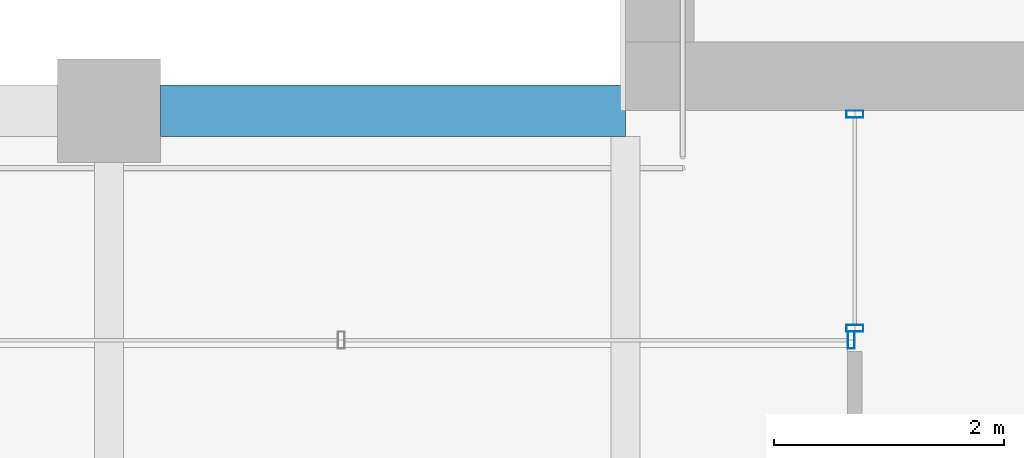
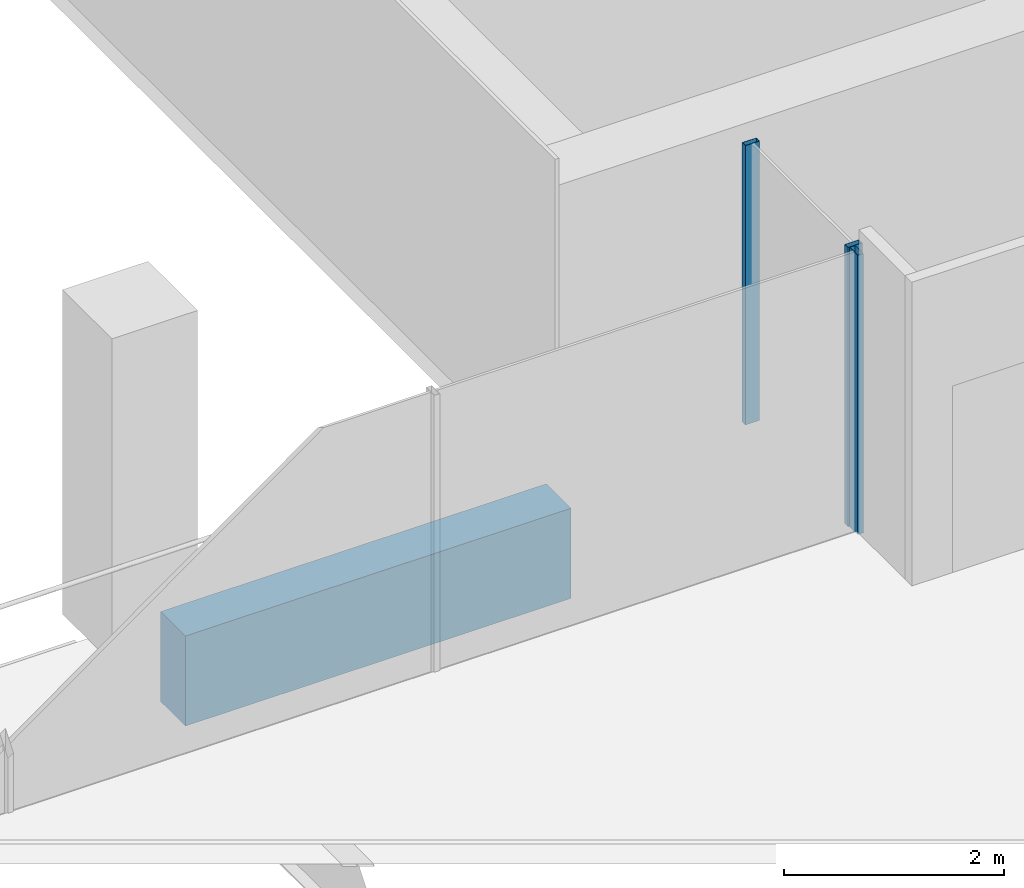
# One storey, part 6 of 40: 3 members, 1 beam, 2 elements without a shape of their own.
"""IFC4 building model written with IfcOpenShell, lengths in metres."""

from ifc_helpers import new_model, si_unit, direction, frame, origin, origin_2d, place, context, subcontext, project, spatial, rectangle, hollow_rectangle, extrude, material, material_profile, profile_set, type_object, element, aggregate, save


model = new_model("IFC4")

# Units and contexts
model_context = context("Model", 3, precision=1e-05, world=origin(), true_north=direction((0.0, 1.0)))
body_context = subcontext(model_context, "Body", "Model", "MODEL_VIEW")
ifc_project = project(units=[si_unit("LENGTHUNIT", "METRE"), si_unit("AREAUNIT", "SQUARE_METRE"), si_unit("VOLUMEUNIT", "CUBIC_METRE"), si_unit("PLANEANGLEUNIT", "RADIAN"), si_unit("MASSUNIT", "GRAM", prefix="KILO")], contexts=[model_context])

# Site, building, storey
site_placement = place(None, origin())
site = spatial("IfcSite", under=ifc_project, at=site_placement, CompositionType="ELEMENT")
building_placement = place(site_placement, origin())
building = spatial("IfcBuilding", under=site, at=building_placement, Name="Altepetl Exchange Towers", CompositionType="ELEMENT")
storey_placement = place(building_placement, frame((0.0, 0.0, 187.0)))
storey = spatial("IfcBuildingStorey", under=building, at=storey_placement, Name="L47", CompositionType="ELEMENT", Elevation=187.0)

# Curtain wall, members
ifc_material_1 = material(Name="Aluminium 6063-T6 glazing", Category="aluminium")
curtain_wall_type = type_object("IfcCurtainWallType", Name="Loggia glazing system", PredefinedType="NOTDEFINED", material=ifc_material_1)
curtain_wall_1_placement = place(storey_placement, origin())
curtain_wall_1 = element("IfcCurtainWall", 1, at=curtain_wall_1_placement, inside=storey, type_object=curtain_wall_type, Name="CW1 run", PredefinedType="NOTDEFINED")
ifc_material_2 = material(Name="Aluminium 6063-T6", Category="aluminium")
ifc_material_profile_1 = material_profile(ifc_material_2, hollow_rectangle(XDim=0.06005859375, YDim=0.14990234375, WallThickness=0.0029296875, at=origin_2d()), Name="Mullion 60x150 aluminium")
ifc_profile_set_1 = profile_set([ifc_material_profile_1], Name="Aluminium 6063-T6")
member_type = type_object("IfcMemberType", Name="Mullion 60x150 aluminium", PredefinedType="MULLION", material=ifc_profile_set_1)
member_1_placement = place(storey_placement, frame((42.5, 40.469970703125, 0.0), z_axis=(0.0, 0.0, 1.0), x_axis=(0.0, -1.0, 0.0)))
member_1 = element("IfcMember", 2, at=member_1_placement, type_object=member_type, Name="MU1 mullion", PredefinedType="MULLION", context=body_context, shape_type="SweptSolid", body=[
    extrude(hollow_rectangle(XDim=0.06005859375, YDim=0.14990234375, WallThickness=0.0029296875, at=origin_2d()), origin(), (0.0, 0.0, 1.0), 3.10009765625),
])
member_2_placement = place(storey_placement, frame((42.5, 38.60498046875, 0.0), z_axis=(0.0, 0.0, 1.0), x_axis=(0.0, -1.0, 0.0)))
member_2 = element("IfcMember", 3, at=member_2_placement, type_object=member_type, Name="MU1 mullion", PredefinedType="MULLION", context=body_context, shape_type="SweptSolid", body=[
    extrude(hollow_rectangle(XDim=0.06005859375, YDim=0.14990234375, WallThickness=0.0029296875, at=origin_2d()), origin(), (0.0, 0.0, 1.0), 3.10009765625),
])
aggregate(curtain_wall_1, [member_1, member_2])

# Curtain wall, member
curtain_wall_2_placement = place(storey_placement, origin())
curtain_wall_2 = element("IfcCurtainWall", 4, at=curtain_wall_2_placement, inside=storey, type_object=curtain_wall_type, Name="CW1 run", PredefinedType="NOTDEFINED")
member_3_placement = place(storey_placement, frame((42.469970703125, 38.5, 0.0), z_axis=(0.0, 0.0, 1.0), x_axis=(-1.0, 0.0, 0.0)))
member_3 = element("IfcMember", 5, at=member_3_placement, type_object=member_type, Name="MU1 mullion", PredefinedType="MULLION", context=body_context, shape_type="SweptSolid", body=[
    extrude(hollow_rectangle(XDim=0.06005859375, YDim=0.14990234375, WallThickness=0.0029296875, at=origin_2d()), origin(), (0.0, 0.0, 1.0), 3.10009765625),
])
aggregate(curtain_wall_2, [member_3])

# Beam
ifc_material_3 = material(Name="Concrete C50/60 precast with tezontle facing", Category="concrete")
ifc_material_profile_2 = material_profile(ifc_material_3, rectangle(XDim=0.449951171875, YDim=1.0, at=origin_2d()), Name="450 x 1000")
ifc_profile_set_2 = profile_set([ifc_material_profile_2], Name="Concrete C50/60 precast with tezontle facing")
beam_type = type_object("IfcBeamType", Name="Spandrel beam 450x1000 tezontle", PredefinedType="SPANDREL", material=ifc_profile_set_2)
beam_placement = place(storey_placement, frame((40.5, 40.5, -0.64990234375), z_axis=(-1.0, 0.0, 0.0), x_axis=(0.0, -1.0, 0.0)))
element("IfcBeam", 6, at=beam_placement, inside=storey, type_object=beam_type, Name="sp:A:L47:033", PredefinedType="SPANDREL", context=body_context, shape_type="SweptSolid", body=[
    extrude(rectangle(XDim=0.449951171875, YDim=1.0, at=origin_2d()), origin(), (0.0, 0.0, 1.0), 4.050048828125),
])

save(model, "model.ifc")
